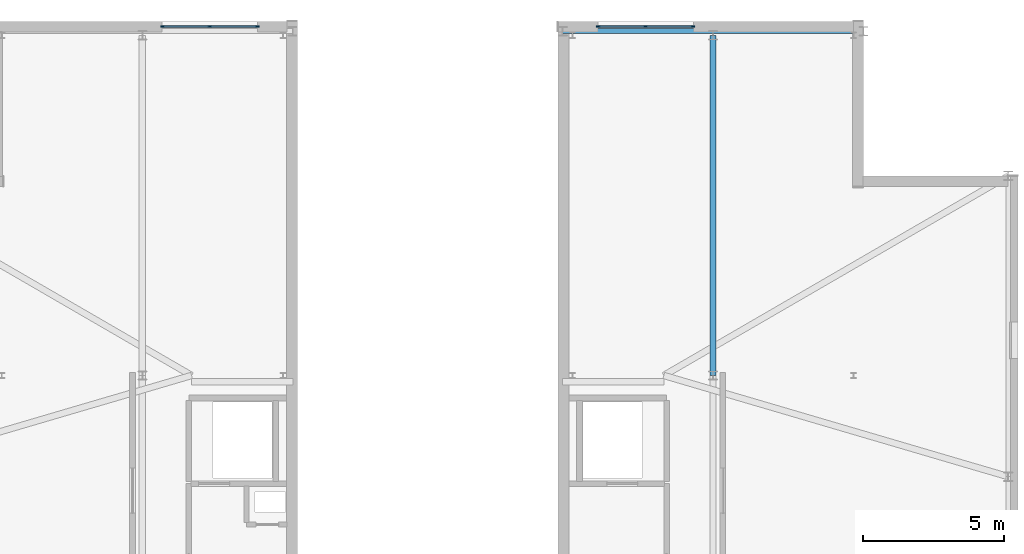
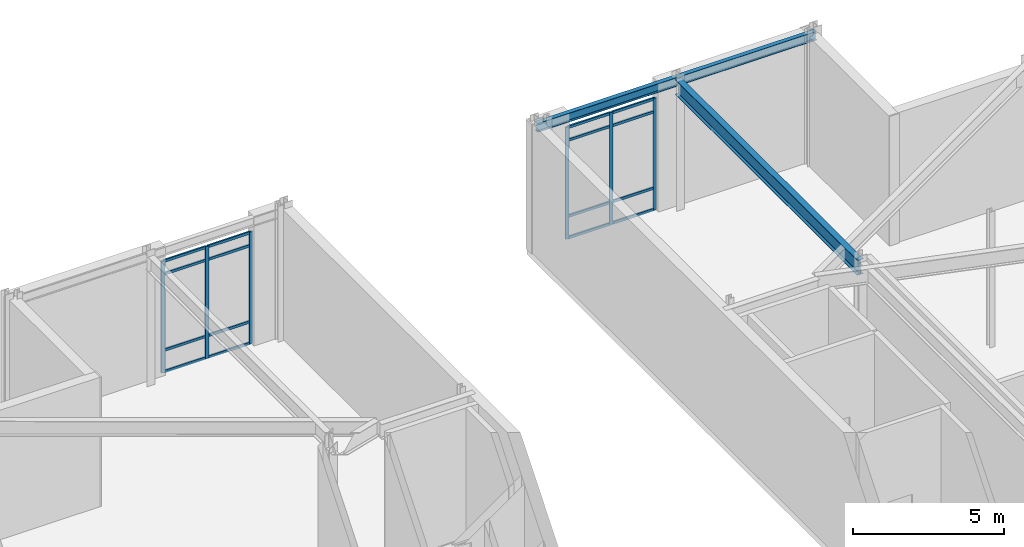
# One storey, part 10 of 14: 22 members, 2 beams, 2 elements without a shape of their own.
"""IFC4 building model written with IfcOpenShell, lengths in metres."""

from ifc_helpers import new_model, si_unit, direction, frame, origin, origin_2d, place, context, subcontext, project, spatial, rectangle, i_section, extrude, material, layer, layer_set, material_profile, profile_set, type_object, element, aggregate, save


model = new_model("IFC4")

# Units and contexts
model_context = context("Model", 3, precision=1e-05, world=origin(), true_north=direction((0.0, 1.0)))
body_context = subcontext(model_context, "Body", "Model", "MODEL_VIEW")
ifc_project = project(units=[si_unit("LENGTHUNIT", "METRE"), si_unit("AREAUNIT", "SQUARE_METRE"), si_unit("VOLUMEUNIT", "CUBIC_METRE"), si_unit("PLANEANGLEUNIT", "RADIAN"), si_unit("MASSUNIT", "GRAM", prefix="KILO")], contexts=[model_context])

# Site, building, storey
site_placement = place(None, origin())
site = spatial("IfcSite", under=ifc_project, at=site_placement, CompositionType="ELEMENT")
building_placement = place(site_placement, origin())
building = spatial("IfcBuilding", under=site, at=building_placement, Name="Cairnveth Concourse Tower", CompositionType="ELEMENT")
storey_placement = place(building_placement, frame((0.0, 0.0, 330.0)))
storey = spatial("IfcBuildingStorey", under=building, at=storey_placement, Name="L90", CompositionType="ELEMENT", Elevation=330.0)

# Curtain wall, members
ifc_material_1 = material(Name="Architectural Bronze Anodised Aluminium 6063-T6", Category="aluminium")
ifc_layer = layer(ifc_material_1, 0.320068359375)
ifc_layer_set = layer_set([ifc_layer], Name="Architectural Bronze Anodised Aluminium 6063-T6")
curtain_wall_type = type_object("IfcCurtainWallType", Name="CROWN LANTERN GABLE CURTAIN WALL", PredefinedType="USERDEFINED", material=ifc_layer_set)
curtain_wall_1_placement = place(storey_placement, origin())
curtain_wall_1 = element("IfcCurtainWall", 1, at=curtain_wall_1_placement, inside=storey, type_object=curtain_wall_type, Name="Curtain Wall CW-L90-CROWN-W5", ObjectType="SHOPFRONT GLAZING", PredefinedType="USERDEFINED")
ifc_material_profile_1 = material_profile(ifc_material_1, rectangle(XDim=0.06005859375, YDim=0.135009765625, at=origin_2d()), Name="AL-MUL-60x135")
ifc_profile_set_1 = profile_set([ifc_material_profile_1], Name="Architectural Bronze Anodised Aluminium 6063-T6")
member_type_1 = type_object("IfcMemberType", Name="BRONZE CURTAIN WALL MULLION AL-MUL-60x135", PredefinedType="MULLION", material=ifc_profile_set_1)
member_1_placement = place(storey_placement, frame((42.56494140625, 59.81005859375, 0.0), z_axis=(0.0, 0.0, 1.0), x_axis=(0.0, 1.0, 0.0)))
member_1 = element("IfcMember", 2, at=member_1_placement, type_object=member_type_1, Name="CWS6 mullion 1", PredefinedType="MULLION", context=body_context, shape_type="SweptSolid", body=[
    extrude(rectangle(XDim=0.06005859375, YDim=0.135009765625, at=origin_2d()), origin(), (0.0, 0.0, 1.0), 4.5380859375),
])
member_2_placement = place(storey_placement, frame((44.25, 59.81005859375, 0.0), z_axis=(0.0, 0.0, 1.0), x_axis=(0.0, 1.0, 0.0)))
member_2 = element("IfcMember", 3, at=member_2_placement, type_object=member_type_1, Name="CWS6 mullion 2", PredefinedType="MULLION", context=body_context, shape_type="SweptSolid", body=[
    extrude(rectangle(XDim=0.06005859375, YDim=0.135009765625, at=origin_2d()), origin(), (0.0, 0.0, 1.0), 4.5380859375),
])
member_3_placement = place(storey_placement, frame((45.93505859375, 59.81005859375, 0.0), z_axis=(0.0, 0.0, 1.0), x_axis=(0.0, 1.0, 0.0)))
member_3 = element("IfcMember", 4, at=member_3_placement, type_object=member_type_1, Name="CWS6 mullion 3", PredefinedType="MULLION", context=body_context, shape_type="SweptSolid", body=[
    extrude(rectangle(XDim=0.06005859375, YDim=0.135009765625, at=origin_2d()), origin(), (0.0, 0.0, 1.0), 4.5380859375),
])

curtain_wall_2_placement = place(storey_placement, origin())
curtain_wall_2 = element("IfcCurtainWall", 5, at=curtain_wall_2_placement, inside=storey, type_object=curtain_wall_type, Name="Curtain Wall CW-L90-CROWN-E1", ObjectType="SHOPFRONT GLAZING", PredefinedType="USERDEFINED")
member_4_placement = place(storey_placement, frame((58.06494140625, 59.81005859375, 0.0), z_axis=(0.0, 0.0, 1.0), x_axis=(0.0, 1.0, 0.0)))
member_4 = element("IfcMember", 6, at=member_4_placement, type_object=member_type_1, Name="CWS6 mullion 1", PredefinedType="MULLION", context=body_context, shape_type="SweptSolid", body=[
    extrude(rectangle(XDim=0.06005859375, YDim=0.135009765625, at=origin_2d()), origin(), (0.0, 0.0, 1.0), 4.5380859375),
])
member_5_placement = place(storey_placement, frame((59.75, 59.81005859375, 0.0), z_axis=(0.0, 0.0, 1.0), x_axis=(0.0, 1.0, 0.0)))
member_5 = element("IfcMember", 7, at=member_5_placement, type_object=member_type_1, Name="CWS6 mullion 2", PredefinedType="MULLION", context=body_context, shape_type="SweptSolid", body=[
    extrude(rectangle(XDim=0.06005859375, YDim=0.135009765625, at=origin_2d()), origin(), (0.0, 0.0, 1.0), 4.5380859375),
])
member_6_placement = place(storey_placement, frame((61.43505859375, 59.81005859375, 0.0), z_axis=(0.0, 0.0, 1.0), x_axis=(0.0, 1.0, 0.0)))
member_6 = element("IfcMember", 8, at=member_6_placement, type_object=member_type_1, Name="CWS6 mullion 3", PredefinedType="MULLION", context=body_context, shape_type="SweptSolid", body=[
    extrude(rectangle(XDim=0.06005859375, YDim=0.135009765625, at=origin_2d()), origin(), (0.0, 0.0, 1.0), 4.5380859375),
])

# Member
ifc_material_profile_2 = material_profile(ifc_material_1, rectangle(XDim=0.06005859375, YDim=0.10498046875, at=origin_2d()), Name="AL-TRN-60x105")
ifc_profile_set_2 = profile_set([ifc_material_profile_2], Name="Architectural Bronze Anodised Aluminium 6063-T6")
member_type_2 = type_object("IfcMemberType", Name="BRONZE CURTAIN WALL TRANSOM AL-TRN-60x105", PredefinedType="USERDEFINED", material=ifc_profile_set_2)
member_7_placement = place(storey_placement, frame((42.594970703125, 59.81005859375, 0.030029296875), z_axis=(1.0, 0.0, 0.0), x_axis=(0.0, 1.0, 0.0)))
member_7 = element("IfcMember", 9, at=member_7_placement, type_object=member_type_2, Name="CWS6 transom 1.1", ObjectType="TRANSOM", PredefinedType="USERDEFINED", context=body_context, shape_type="SweptSolid", body=[
    extrude(rectangle(XDim=0.06005859375, YDim=0.10498046875, at=origin_2d()), origin(), (0.0, 0.0, 1.0), 1.625),
])

member_8_placement = place(storey_placement, frame((42.594970703125, 59.81005859375, 0.89990234375), z_axis=(1.0, 0.0, 0.0), x_axis=(0.0, 1.0, 0.0)))
member_8 = element("IfcMember", 10, at=member_8_placement, type_object=member_type_2, Name="CWS6 transom 1.2", ObjectType="TRANSOM", PredefinedType="USERDEFINED", context=body_context, shape_type="SweptSolid", body=[
    extrude(rectangle(XDim=0.06005859375, YDim=0.10498046875, at=origin_2d()), origin(), (0.0, 0.0, 1.0), 1.625),
])

member_9_placement = place(storey_placement, frame((42.594970703125, 59.81005859375, 3.988037109375), z_axis=(1.0, 0.0, 0.0), x_axis=(0.0, 1.0, 0.0)))
member_9 = element("IfcMember", 11, at=member_9_placement, type_object=member_type_2, Name="CWS6 transom 1.3", ObjectType="TRANSOM", PredefinedType="USERDEFINED", context=body_context, shape_type="SweptSolid", body=[
    extrude(rectangle(XDim=0.06005859375, YDim=0.10498046875, at=origin_2d()), origin(), (0.0, 0.0, 1.0), 1.625),
])

member_10_placement = place(storey_placement, frame((42.594970703125, 59.81005859375, 4.508056640625), z_axis=(1.0, 0.0, 0.0), x_axis=(0.0, 1.0, 0.0)))
member_10 = element("IfcMember", 12, at=member_10_placement, type_object=member_type_2, Name="CWS6 transom 1.4", ObjectType="TRANSOM", PredefinedType="USERDEFINED", context=body_context, shape_type="SweptSolid", body=[
    extrude(rectangle(XDim=0.06005859375, YDim=0.10498046875, at=origin_2d()), origin(), (0.0, 0.0, 1.0), 1.625),
])

member_11_placement = place(storey_placement, frame((44.280029296875, 59.81005859375, 0.030029296875), z_axis=(1.0, 0.0, 0.0), x_axis=(0.0, 1.0, 0.0)))
member_11 = element("IfcMember", 13, at=member_11_placement, type_object=member_type_2, Name="CWS6 transom 2.1", ObjectType="TRANSOM", PredefinedType="USERDEFINED", context=body_context, shape_type="SweptSolid", body=[
    extrude(rectangle(XDim=0.06005859375, YDim=0.10498046875, at=origin_2d()), origin(), (0.0, 0.0, 1.0), 1.625),
])

member_12_placement = place(storey_placement, frame((44.280029296875, 59.81005859375, 0.89990234375), z_axis=(1.0, 0.0, 0.0), x_axis=(0.0, 1.0, 0.0)))
member_12 = element("IfcMember", 14, at=member_12_placement, type_object=member_type_2, Name="CWS6 transom 2.2", ObjectType="TRANSOM", PredefinedType="USERDEFINED", context=body_context, shape_type="SweptSolid", body=[
    extrude(rectangle(XDim=0.06005859375, YDim=0.10498046875, at=origin_2d()), origin(), (0.0, 0.0, 1.0), 1.625),
])

member_13_placement = place(storey_placement, frame((44.280029296875, 59.81005859375, 3.988037109375), z_axis=(1.0, 0.0, 0.0), x_axis=(0.0, 1.0, 0.0)))
member_13 = element("IfcMember", 15, at=member_13_placement, type_object=member_type_2, Name="CWS6 transom 2.3", ObjectType="TRANSOM", PredefinedType="USERDEFINED", context=body_context, shape_type="SweptSolid", body=[
    extrude(rectangle(XDim=0.06005859375, YDim=0.10498046875, at=origin_2d()), origin(), (0.0, 0.0, 1.0), 1.625),
])

member_14_placement = place(storey_placement, frame((44.280029296875, 59.81005859375, 4.508056640625), z_axis=(1.0, 0.0, 0.0), x_axis=(0.0, 1.0, 0.0)))
member_14 = element("IfcMember", 16, at=member_14_placement, type_object=member_type_2, Name="CWS6 transom 2.4", ObjectType="TRANSOM", PredefinedType="USERDEFINED", context=body_context, shape_type="SweptSolid", body=[
    extrude(rectangle(XDim=0.06005859375, YDim=0.10498046875, at=origin_2d()), origin(), (0.0, 0.0, 1.0), 1.625),
])

aggregate(curtain_wall_1, [member_1, member_2, member_3, member_7, member_8, member_9, member_10, member_11, member_12, member_13, member_14])

member_15_placement = place(storey_placement, frame((58.094970703125, 59.81005859375, 0.030029296875), z_axis=(1.0, 0.0, 0.0), x_axis=(0.0, 1.0, 0.0)))
member_15 = element("IfcMember", 17, at=member_15_placement, type_object=member_type_2, Name="CWS6 transom 1.1", ObjectType="TRANSOM", PredefinedType="USERDEFINED", context=body_context, shape_type="SweptSolid", body=[
    extrude(rectangle(XDim=0.06005859375, YDim=0.10498046875, at=origin_2d()), origin(), (0.0, 0.0, 1.0), 1.625),
])

member_16_placement = place(storey_placement, frame((58.094970703125, 59.81005859375, 0.89990234375), z_axis=(1.0, 0.0, 0.0), x_axis=(0.0, 1.0, 0.0)))
member_16 = element("IfcMember", 18, at=member_16_placement, type_object=member_type_2, Name="CWS6 transom 1.2", ObjectType="TRANSOM", PredefinedType="USERDEFINED", context=body_context, shape_type="SweptSolid", body=[
    extrude(rectangle(XDim=0.06005859375, YDim=0.10498046875, at=origin_2d()), origin(), (0.0, 0.0, 1.0), 1.625),
])

member_17_placement = place(storey_placement, frame((58.094970703125, 59.81005859375, 3.988037109375), z_axis=(1.0, 0.0, 0.0), x_axis=(0.0, 1.0, 0.0)))
member_17 = element("IfcMember", 19, at=member_17_placement, type_object=member_type_2, Name="CWS6 transom 1.3", ObjectType="TRANSOM", PredefinedType="USERDEFINED", context=body_context, shape_type="SweptSolid", body=[
    extrude(rectangle(XDim=0.06005859375, YDim=0.10498046875, at=origin_2d()), origin(), (0.0, 0.0, 1.0), 1.625),
])

member_18_placement = place(storey_placement, frame((58.094970703125, 59.81005859375, 4.508056640625), z_axis=(1.0, 0.0, 0.0), x_axis=(0.0, 1.0, 0.0)))
member_18 = element("IfcMember", 20, at=member_18_placement, type_object=member_type_2, Name="CWS6 transom 1.4", ObjectType="TRANSOM", PredefinedType="USERDEFINED", context=body_context, shape_type="SweptSolid", body=[
    extrude(rectangle(XDim=0.06005859375, YDim=0.10498046875, at=origin_2d()), origin(), (0.0, 0.0, 1.0), 1.625),
])

member_19_placement = place(storey_placement, frame((59.780029296875, 59.81005859375, 0.030029296875), z_axis=(1.0, 0.0, 0.0), x_axis=(0.0, 1.0, 0.0)))
member_19 = element("IfcMember", 21, at=member_19_placement, type_object=member_type_2, Name="CWS6 transom 2.1", ObjectType="TRANSOM", PredefinedType="USERDEFINED", context=body_context, shape_type="SweptSolid", body=[
    extrude(rectangle(XDim=0.06005859375, YDim=0.10498046875, at=origin_2d()), origin(), (0.0, 0.0, 1.0), 1.625),
])

member_20_placement = place(storey_placement, frame((59.780029296875, 59.81005859375, 0.89990234375), z_axis=(1.0, 0.0, 0.0), x_axis=(0.0, 1.0, 0.0)))
member_20 = element("IfcMember", 22, at=member_20_placement, type_object=member_type_2, Name="CWS6 transom 2.2", ObjectType="TRANSOM", PredefinedType="USERDEFINED", context=body_context, shape_type="SweptSolid", body=[
    extrude(rectangle(XDim=0.06005859375, YDim=0.10498046875, at=origin_2d()), origin(), (0.0, 0.0, 1.0), 1.625),
])

member_21_placement = place(storey_placement, frame((59.780029296875, 59.81005859375, 3.988037109375), z_axis=(1.0, 0.0, 0.0), x_axis=(0.0, 1.0, 0.0)))
member_21 = element("IfcMember", 23, at=member_21_placement, type_object=member_type_2, Name="CWS6 transom 2.3", ObjectType="TRANSOM", PredefinedType="USERDEFINED", context=body_context, shape_type="SweptSolid", body=[
    extrude(rectangle(XDim=0.06005859375, YDim=0.10498046875, at=origin_2d()), origin(), (0.0, 0.0, 1.0), 1.625),
])

member_22_placement = place(storey_placement, frame((59.780029296875, 59.81005859375, 4.508056640625), z_axis=(1.0, 0.0, 0.0), x_axis=(0.0, 1.0, 0.0)))
member_22 = element("IfcMember", 24, at=member_22_placement, type_object=member_type_2, Name="CWS6 transom 2.4", ObjectType="TRANSOM", PredefinedType="USERDEFINED", context=body_context, shape_type="SweptSolid", body=[
    extrude(rectangle(XDim=0.06005859375, YDim=0.10498046875, at=origin_2d()), origin(), (0.0, 0.0, 1.0), 1.625),
])

aggregate(curtain_wall_2, [member_4, member_5, member_6, member_15, member_16, member_17, member_18, member_19, member_20, member_21, member_22])

# Beams
ifc_material_2 = material(Name="Steel Grade 350", Category="steel")
ifc_material_profile_3 = material_profile(ifc_material_2, i_section(OverallWidth=0.22900390625, OverallDepth=0.612060546875, WebThickness=0.011962890625, FlangeThickness=0.01953125, FilletRadius=0.013916015625, at=origin_2d()), Name="610UB125")
ifc_profile_set_3 = profile_set([ifc_material_profile_3], Name="Steel Grade 350")
beam_type_1 = type_object("IfcBeamType", Name="ZONE 4 RADIAL GIRDER 610UB125", PredefinedType="BEAM", material=ifc_profile_set_3)
beam_1_placement = place(storey_placement, frame((62.14990234375, 47.39990234375, 4.944091796875), z_axis=(0.0, 1.0, 0.0), x_axis=(-1.0, 0.0, 0.0)))
element("IfcBeam", 25, at=beam_1_placement, inside=storey, type_object=beam_type_1, Name="Beam CB-EM3 L90", PredefinedType="BEAM", context=body_context, shape_type="SweptSolid", body=[
    extrude(i_section(OverallWidth=0.22900390625, OverallDepth=0.612060546875, WebThickness=0.011962890625, FlangeThickness=0.01953125, FilletRadius=0.013916015625, at=origin_2d()), origin(), (0.0, 0.0, 1.0), 12.10009765625),
])
ifc_material_profile_4 = material_profile(ifc_material_2, i_section(OverallWidth=0.172119140625, OverallDepth=0.35888671875, WebThickness=0.008056640625, FlangeThickness=0.012939453125, FilletRadius=0.010986328125, at=origin_2d()), Name="360UB56.7")
ifc_profile_set_4 = profile_set([ifc_material_profile_4], Name="Steel Grade 350")
beam_type_2 = type_object("IfcBeamType", Name="ZONE 4 SPANDREL BEAM 360UB56.7", PredefinedType="SPANDREL", material=ifc_profile_set_4)
beam_2_placement = place(storey_placement, frame((56.800048828125, 59.64990234375, 5.070556640625), z_axis=(1.0, 0.0, 0.0), x_axis=(0.0, 1.0, 0.0)))
element("IfcBeam", 26, at=beam_2_placement, inside=storey, type_object=beam_type_2, Name="Beam CSP-EN L90", PredefinedType="SPANDREL", context=body_context, shape_type="SweptSolid", body=[
    extrude(i_section(OverallWidth=0.172119140625, OverallDepth=0.35888671875, WebThickness=0.008056640625, FlangeThickness=0.012939453125, FilletRadius=0.010986328125, at=origin_2d()), origin(), (0.0, 0.0, 1.0), 10.699951171875),
])

save(model, "model.ifc")
